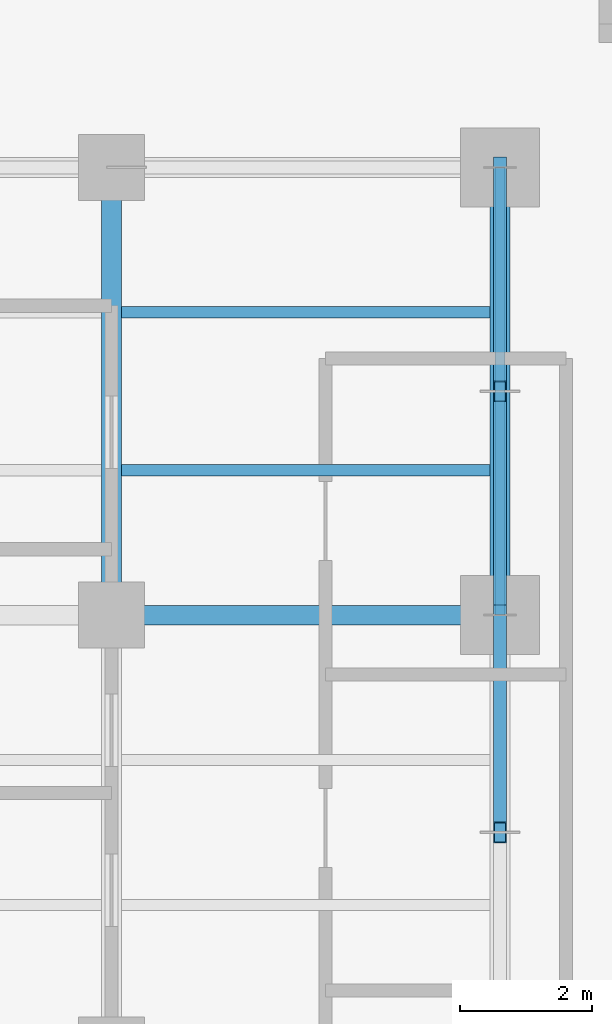
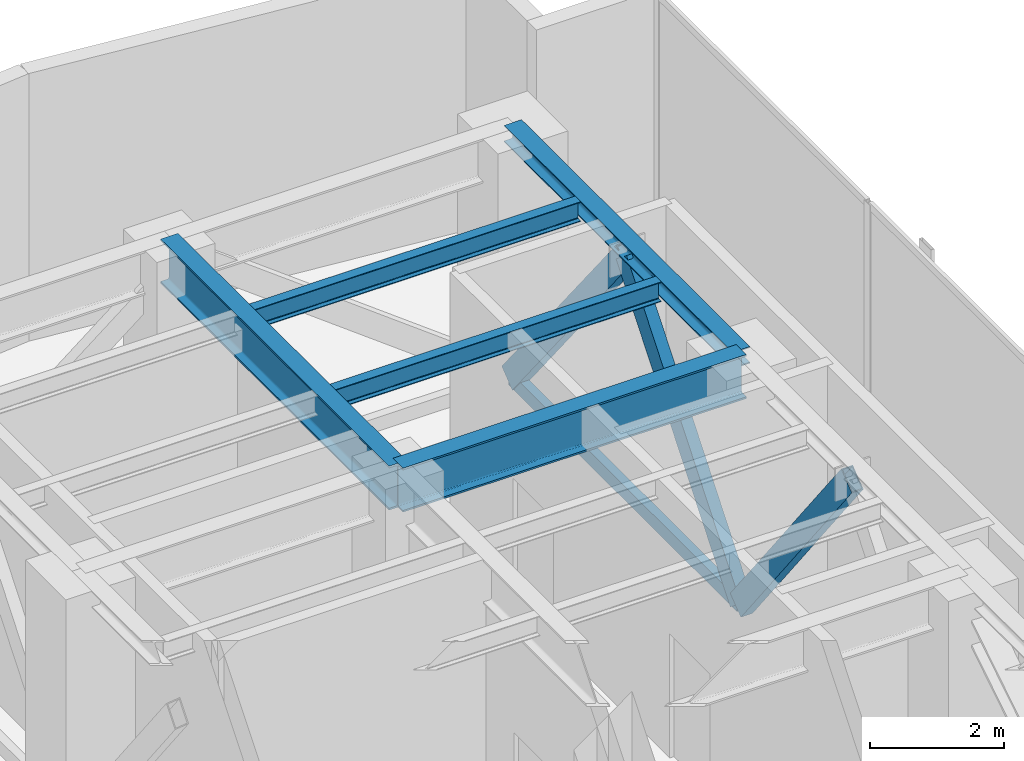
# One storey, part 23 of 36: 5 beams, 4 members.
"""IFC4 building model written with IfcOpenShell, lengths in metres."""

import ifcopenshell
import ifcopenshell.guid

model = None  # the IFC model being written
_history = None  # IfcOwnerHistory: only IFC2X3 demands one
_inside = {}  # id of a spatial element -> (the spatial element, [elements in it])
_under = {}  # id of a project, library or spatial element -> (it, [spatial elements below it])
_declared = {}  # id of a project -> (the project, [libraries it declares])
_typed = {}  # id of a type object -> (the type object, [elements of that type])
_made_of = {}  # id of a material, layer set ... -> (it, [elements and type objects made of it])


def new_model(schema):
    """Start an empty IFC model of exactly this schema.

    Asked for "IFC4X3", IfcOpenShell would pick the latest addendum, in which some entities
    have other attributes; the version numbers below select the first issue.
    IFC2X3 requires an IfcOwnerHistory on every rooted entity: one is made here for all.
    """
    global model, _history
    if schema == "IFC4X3":
        model = ifcopenshell.file(schema_version=(4, 3, 0, 0))
    else:
        model = ifcopenshell.file(schema=schema)
    _inside.clear()
    _under.clear()
    _declared.clear()
    _typed.clear()
    _made_of.clear()
    _history = None
    if model.schema == "IFC2X3":
        org = make("IfcOrganization", Name="unknown")
        user = make(
            "IfcPersonAndOrganization",
            ThePerson=make("IfcPerson", FamilyName="unknown"),
            TheOrganization=org,
        )
        app = make(
            "IfcApplication",
            ApplicationDeveloper=org,
            Version="unknown",
            ApplicationFullName="unknown",
            ApplicationIdentifier="unknown",
        )
        _history = make(
            "IfcOwnerHistory",
            OwningUser=user,
            OwningApplication=app,
            ChangeAction="ADDED",
            CreationDate=0,
        )
    return model


def make(cls, **values):
    """One entity of the class cls with the attributes given. An attribute that is None is left unset."""
    return model.create_entity(
        cls, **{name: value for name, value in values.items() if value is not None}
    )


def rooted(cls, **values):
    """An entity with a GlobalId (a new one), such as an element, a storey or a relation."""
    return make(cls, GlobalId=ifcopenshell.guid.new(), OwnerHistory=_history, **values)


def si_unit(unit_type, name, prefix=None):
    """IfcSIUnit, for example si_unit("LENGTHUNIT", "METRE", prefix="MILLI")."""
    return make("IfcSIUnit", UnitType=unit_type, Prefix=prefix, Name=name)


def assignment(units):
    """IfcUnitAssignment: the units of a project."""
    return None if units is None else make("IfcUnitAssignment", Units=units)


def point(xyz):
    """IfcCartesianPoint."""
    return None if xyz is None else make("IfcCartesianPoint", Coordinates=xyz)


def direction(xyz):
    """IfcDirection."""
    return None if xyz is None else make("IfcDirection", DirectionRatios=xyz)


def frame(location, z_axis=None, x_axis=None):
    """IfcAxis2Placement3D, a coordinate frame: its origin and axes. An axis left out is left unset."""
    return make(
        "IfcAxis2Placement3D",
        Location=point(location),
        Axis=direction(z_axis),
        RefDirection=direction(x_axis),
    )


def frame_2d(location, x_axis=None):
    """IfcAxis2Placement2D, a coordinate frame in the plane: its origin and x axis."""
    return make(
        "IfcAxis2Placement2D", Location=point(location), RefDirection=direction(x_axis)
    )


def origin():
    """The frame at (0, 0, 0) with its axes left unset."""
    return frame((0.0, 0.0, 0.0))


def origin_2d():
    """The frame at (0, 0) in the plane with its x axis left unset."""
    return frame_2d((0.0, 0.0))


def place(relative_to, where):
    """IfcLocalPlacement: puts the frame where relative to a parent placement (None: the world)."""
    return make(
        "IfcLocalPlacement", PlacementRelTo=relative_to, RelativePlacement=where
    )


def context(
    kind, dimensions, precision=None, world=None, true_north=None, identifier=None
):
    """IfcGeometricRepresentationContext, for example the 3D "Model" context."""
    return make(
        "IfcGeometricRepresentationContext",
        ContextIdentifier=identifier,
        ContextType=kind,
        CoordinateSpaceDimension=dimensions,
        Precision=precision,
        WorldCoordinateSystem=world,
        TrueNorth=true_north,
    )


def subcontext(parent, identifier, kind, view, scale=None):
    """IfcGeometricRepresentationSubContext, for example "Body" below "Model"."""
    return make(
        "IfcGeometricRepresentationSubContext",
        ContextIdentifier=identifier,
        ContextType=kind,
        ParentContext=parent,
        TargetScale=scale,
        TargetView=view,
    )


def project(units=None, contexts=None):
    """IfcProject with its units and contexts."""
    return rooted(
        "IfcProject",
        Name="project",
        RepresentationContexts=contexts,
        UnitsInContext=assignment(units),
    )


def spatial(cls, under=None, at=None, **own):
    """A site, building, storey or space (cls), placed at a placement, below another one or the project."""
    s = rooted(cls, ObjectPlacement=at, **own)
    if under is not None:
        _under.setdefault(under.id(), (under, []))[1].append(s)
    return s


def profile(cls, at=None, kind="AREA", **sizes):
    """A parametric profile (cls). Its sizes go by their IFC names, for example OverallWidth=200.0."""
    return make(cls, ProfileType=kind, Position=at, **sizes)


def hollow_rectangle(**sizes):
    """IfcRectangleHollowProfileDef."""
    return profile("IfcRectangleHollowProfileDef", **sizes)


def i_section(**sizes):
    """IfcIShapeProfileDef."""
    return profile("IfcIShapeProfileDef", **sizes)


def extrude(swept, where, along, depth):
    """IfcExtrudedAreaSolid: the profile swept, set in the frame where, extruded along a direction by depth."""
    return make(
        "IfcExtrudedAreaSolid",
        SweptArea=swept,
        Position=where,
        ExtrudedDirection=direction(along),
        Depth=depth,
    )


def shape(context_of_items, identifier, shape_type, items):
    """IfcShapeRepresentation: the items that make up one representation, for example the "Body"."""
    return make(
        "IfcShapeRepresentation",
        ContextOfItems=context_of_items,
        RepresentationIdentifier=identifier,
        RepresentationType=shape_type,
        Items=items,
    )


def material(Name=None, Category=None):
    """IfcMaterial."""
    return make("IfcMaterial", Name=Name, Category=Category)


def material_profile(
    of_material, cross_section, Name=None, Category=None, Priority=None
):
    """IfcMaterialProfile: a cross section and its material."""
    return make(
        "IfcMaterialProfile",
        Name=Name,
        Material=of_material,
        Profile=cross_section,
        Priority=Priority,
        Category=Category,
    )


def profile_set(profiles, Name=None, composite=None):
    """IfcMaterialProfileSet."""
    return make(
        "IfcMaterialProfileSet",
        Name=Name,
        MaterialProfiles=profiles,
        CompositeProfile=composite,
    )


def made_of(thing, what):
    """Note that an element or type object is made of a material, layer set ...; save() writes the relation."""
    if what is not None:
        _made_of.setdefault(what.id(), (what, []))[1].append(thing)
    return thing


def type_object(cls, material=None, **own):
    """A type object (cls), such as IfcWallType, which elements share."""
    return made_of(rooted(cls, **own), material)


def element(
    cls,
    number,
    at=None,
    inside=None,
    cuts=None,
    type_object=None,
    material=None,
    context=None,
    identifier="Body",
    shape_type=None,
    held_by="IfcProductDefinitionShape",
    body=None,
    shapes=None,
    **own,
):
    """One element of the class cls, such as IfcWall. Its Tag is "e" and its number.

    at: its placement. inside: the storey or other place that contains it. cuts: it is an
    opening in that element (IfcRelVoidsElement). A single representation is given by context,
    identifier, shape_type and body (its items); several are given by shapes. held_by: the class
    of the entity that holds the representations. save() writes the other relations.
    """
    e = rooted(cls, Tag="e%d" % number, ObjectPlacement=at, **own)
    if body is not None:
        shapes = [shape(context, identifier, shape_type, body)]
    if shapes is not None:
        e.Representation = make(held_by, Representations=shapes)
    if inside is not None:
        _inside.setdefault(inside.id(), (inside, []))[1].append(e)
    if cuts is not None:
        rooted(
            "IfcRelVoidsElement", RelatingBuildingElement=cuts, RelatedOpeningElement=e
        )
    if type_object is not None:
        _typed.setdefault(type_object.id(), (type_object, []))[1].append(e)
    return made_of(e, material)


def aggregate(whole, parts):
    """IfcRelAggregates: a whole, such as a stair, and the parts it consists of."""
    return rooted("IfcRelAggregates", RelatingObject=whole, RelatedObjects=parts)


def save(model, path):
    """Write the relations noted so far, then the file.

    IfcRelAggregates (storeys below a building ...), IfcRelContainedInSpatialStructure (elements
    in a storey), IfcRelDefinesByType, IfcRelAssociatesMaterial and IfcRelDeclares: one each for
    every whole, place, type object, material and project.
    """
    for whole, parts in _under.values():
        aggregate(whole, parts)
    for where, things in _inside.values():
        rooted(
            "IfcRelContainedInSpatialStructure",
            RelatedElements=things,
            RelatingStructure=where,
        )
    for kind, things in _typed.values():
        rooted("IfcRelDefinesByType", RelatedObjects=things, RelatingType=kind)
    for what, things in _made_of.values():
        rooted("IfcRelAssociatesMaterial", RelatedObjects=things, RelatingMaterial=what)
    for by, libraries in _declared.values():
        rooted("IfcRelDeclares", RelatingContext=by, RelatedDefinitions=libraries)
    model.write(path)


model = new_model("IFC4")

# Units and contexts
model_context = context("Model", 3, precision=1e-05, world=origin(), true_north=direction((0.0, 1.0)))
body_context = subcontext(model_context, "Body", "Model", "MODEL_VIEW")
ifc_project = project(units=[si_unit("LENGTHUNIT", "METRE"), si_unit("AREAUNIT", "SQUARE_METRE"), si_unit("VOLUMEUNIT", "CUBIC_METRE"), si_unit("PLANEANGLEUNIT", "RADIAN"), si_unit("MASSUNIT", "GRAM", prefix="KILO")], contexts=[model_context])

# Site, building, storey
site_placement = place(None, origin())
site = spatial("IfcSite", under=ifc_project, at=site_placement, CompositionType="ELEMENT")
building_placement = place(site_placement, origin())
building = spatial("IfcBuilding", under=site, at=building_placement, Name="Kolvaren Waterfront Exchange", CompositionType="ELEMENT")
storey_placement = place(building_placement, frame((0.0, 0.0, 199.39990234375)))
storey = spatial("IfcBuildingStorey", under=building, at=storey_placement, Name="L51", CompositionType="ELEMENT", Elevation=199.39990234375)

# Beams
ifc_material_1 = material(Name="Steel S355", Category="steel")
ifc_material_profile_1 = material_profile(ifc_material_1, i_section(OverallWidth=0.300048828125, OverallDepth=0.300048828125, WebThickness=0.010986328125, FlangeThickness=0.01904296875, FilletRadius=0.027099609375, at=origin_2d()), Name="HEB300")
ifc_profile_set_1 = profile_set([ifc_material_profile_1], Name="Steel S355")
beam_type_1 = type_object("IfcBeamType", Name="STR-BM-HEB300", PredefinedType="SPANDREL", material=ifc_profile_set_1)
beam_1_placement = place(storey_placement, frame((18.800048828125, 37.800048828125, 4.710205078125), z_axis=(0.0, 1.0, 0.0), x_axis=(-1.0, 0.0, 0.0)))
element("IfcBeam", 1, at=beam_1_placement, inside=storey, type_object=beam_type_1, Name="L51 north-arm edge beam 3", PredefinedType="SPANDREL", context=body_context, shape_type="SweptSolid", body=[
    extrude(i_section(OverallWidth=0.300048828125, OverallDepth=0.300048828125, WebThickness=0.010986328125, FlangeThickness=0.01904296875, FilletRadius=0.027099609375, at=origin_2d()), origin(), (0.0, 0.0, 1.0), 6.800048828125),
])
ifc_material_profile_2 = material_profile(ifc_material_1, i_section(OverallWidth=0.300048828125, OverallDepth=0.800048828125, WebThickness=0.017578125, FlangeThickness=0.032958984375, FilletRadius=0.030029296875, at=origin_2d()), Name="HEB800")
ifc_profile_set_2 = profile_set([ifc_material_profile_2], Name="Steel S355")
beam_type_2 = type_object("IfcBeamType", Name="STR-BM-HEB800", PredefinedType="BEAM", material=ifc_profile_set_2)
beam_2_placement = place(storey_placement, frame((12.89990234375, 37.800048828125, 4.460205078125), z_axis=(1.0, 0.0, 0.0), x_axis=(0.0, 1.0, 0.0)))
element("IfcBeam", 2, at=beam_2_placement, inside=storey, type_object=beam_type_2, Name="L51 north-arm girder 3B", PredefinedType="BEAM", context=body_context, shape_type="SweptSolid", body=[
    extrude(i_section(OverallWidth=0.300048828125, OverallDepth=0.800048828125, WebThickness=0.017578125, FlangeThickness=0.032958984375, FilletRadius=0.030029296875, at=origin_2d()), origin(), (0.0, 0.0, 1.0), 5.900146484375),
])
beam_3_placement = place(storey_placement, frame((12.89990234375, 37.800048828125, 4.460205078125), z_axis=(0.0, 1.0, 0.0), x_axis=(-1.0, 0.0, 0.0)))
element("IfcBeam", 3, at=beam_3_placement, inside=storey, type_object=beam_type_2, Name="L51 north-arm edge beam 3", PredefinedType="BEAM", context=body_context, shape_type="SweptSolid", body=[
    extrude(i_section(OverallWidth=0.300048828125, OverallDepth=0.800048828125, WebThickness=0.017578125, FlangeThickness=0.032958984375, FilletRadius=0.030029296875, at=origin_2d()), origin(), (0.0, 0.0, 1.0), 6.800048828125),
])
ifc_material_profile_3 = material_profile(ifc_material_1, i_section(OverallWidth=0.169921875, OverallDepth=0.360107421875, WebThickness=0.008056640625, FlangeThickness=0.0126953125, FilletRadius=0.01806640625, at=origin_2d()), Name="IPE360")
ifc_profile_set_3 = profile_set([ifc_material_profile_3], Name="Steel S355")
beam_type_3 = type_object("IfcBeamType", Name="STR-BM-IPE360", PredefinedType="JOIST", material=ifc_profile_set_3)
for number, where, z_axis, x_axis, name in (
    (4, (13.052001953125, 40.0, 4.68017578125), (1.0, 0.0, 0.0), (0.0, 1.0, 0.0), "L51 north-arm composite joist 5B"),
    (5, (13.052001953125, 42.39990234375, 4.68017578125), (1.0, 0.0, 0.0), (0.0, 1.0, 0.0), "L51 north-arm composite joist 6B"),
):
    element("IfcBeam", number, at=place(storey_placement, frame(where, z_axis=z_axis, x_axis=x_axis)), inside=storey, type_object=beam_type_3, Name=name, PredefinedType="JOIST", context=body_context, shape_type="SweptSolid", body=[
        extrude(i_section(OverallWidth=0.169921875, OverallDepth=0.360107421875, WebThickness=0.008056640625, FlangeThickness=0.0126953125, FilletRadius=0.01806640625, at=origin_2d()), origin(), (0.0, 0.0, 1.0), 5.595947265625),
    ])

# Members
ifc_material_2 = material(Name="Steel S460", Category="steel")
ifc_material_profile_4 = material_profile(ifc_material_2, hollow_rectangle(XDim=0.14990234375, YDim=0.25, WallThickness=0.010009765625, at=origin_2d()), Name="RHS250x150x10")
ifc_profile_set_4 = profile_set([ifc_material_profile_4], Name="Steel S460")
member_type_1 = type_object("IfcMemberType", Name="STR-BR-RHS250", PredefinedType="CHORD", material=ifc_profile_set_4)
member_1_placement = place(storey_placement, frame((18.800048828125, 37.800048828125, 0.25), z_axis=(0.0, 1.0, 0.0), x_axis=(-1.0, 0.0, 0.0)))
element("IfcMember", 6, at=member_1_placement, inside=storey, type_object=member_type_1, Name="L51 belt-truss bottom chord BT7", PredefinedType="CHORD", context=body_context, shape_type="SweptSolid", body=[
    extrude(hollow_rectangle(XDim=0.14990234375, YDim=0.25, WallThickness=0.010009765625, at=origin_2d()), origin(), (0.0, 0.0, 1.0), 6.800048828125),
])
ifc_material_profile_5 = material_profile(ifc_material_2, hollow_rectangle(XDim=0.199951171875, YDim=0.39990234375, WallThickness=0.01611328125, at=origin_2d()), Name="RHS400x200x16")
ifc_profile_set_5 = profile_set([ifc_material_profile_5], Name="Steel S460")
member_type_2 = type_object("IfcMemberType", Name="STR-BR-RHS400", PredefinedType="BRACE", material=ifc_profile_set_5)
member_2_placement = place(storey_placement, frame((18.800048828125, 37.800048828125, 0.25), z_axis=(0.0, -0.612402527517, 0.790546105101), x_axis=(1.0, 0.0, 0.0)))
element("IfcMember", 7, at=member_2_placement, inside=storey, type_object=member_type_2, Name="L51 belt-truss chevron brace BT6R", PredefinedType="BRACE", context=body_context, shape_type="SweptSolid", body=[
    extrude(hollow_rectangle(XDim=0.199951171875, YDim=0.39990234375, WallThickness=0.01611328125, at=origin_2d()), origin(), (0.0, 0.0, 1.0), 5.388671875),
])
member_3_placement = place(storey_placement, frame((18.800048828125, 37.800048828125, 0.25), z_axis=(0.0, 0.62378784047, 0.781593711644), x_axis=(-1.0, 0.0, 0.0)))
element("IfcMember", 8, at=member_3_placement, inside=storey, type_object=member_type_2, Name="L51 belt-truss chevron brace BT7L", PredefinedType="BRACE", context=body_context, shape_type="SweptSolid", body=[
    extrude(hollow_rectangle(XDim=0.199951171875, YDim=0.39990234375, WallThickness=0.01611328125, at=origin_2d()), origin(), (0.0, 0.0, 1.0), 5.450439453125),
])
member_4_placement = place(storey_placement, frame((18.800048828125, 44.60009765625, 0.25), z_axis=(0.0, -0.623815202885, 0.78157187299), x_axis=(1.0, 0.0, 0.0)))
element("IfcMember", 9, at=member_4_placement, inside=storey, type_object=member_type_2, Name="L51 belt-truss chevron brace BT7R", PredefinedType="BRACE", context=body_context, shape_type="SweptSolid", body=[
    extrude(hollow_rectangle(XDim=0.199951171875, YDim=0.39990234375, WallThickness=0.01611328125, at=origin_2d()), origin(), (0.0, 0.0, 1.0), 5.45068359375),
])

save(model, "model.ifc")
